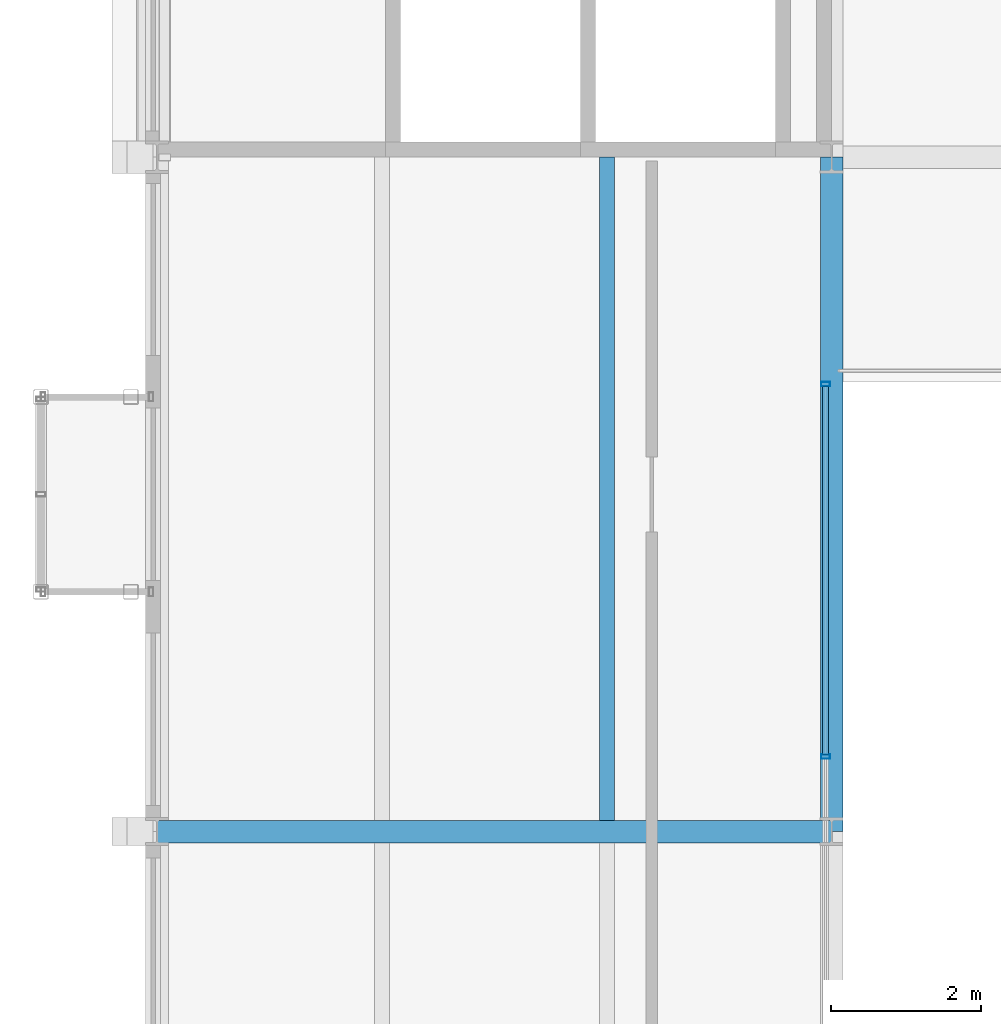
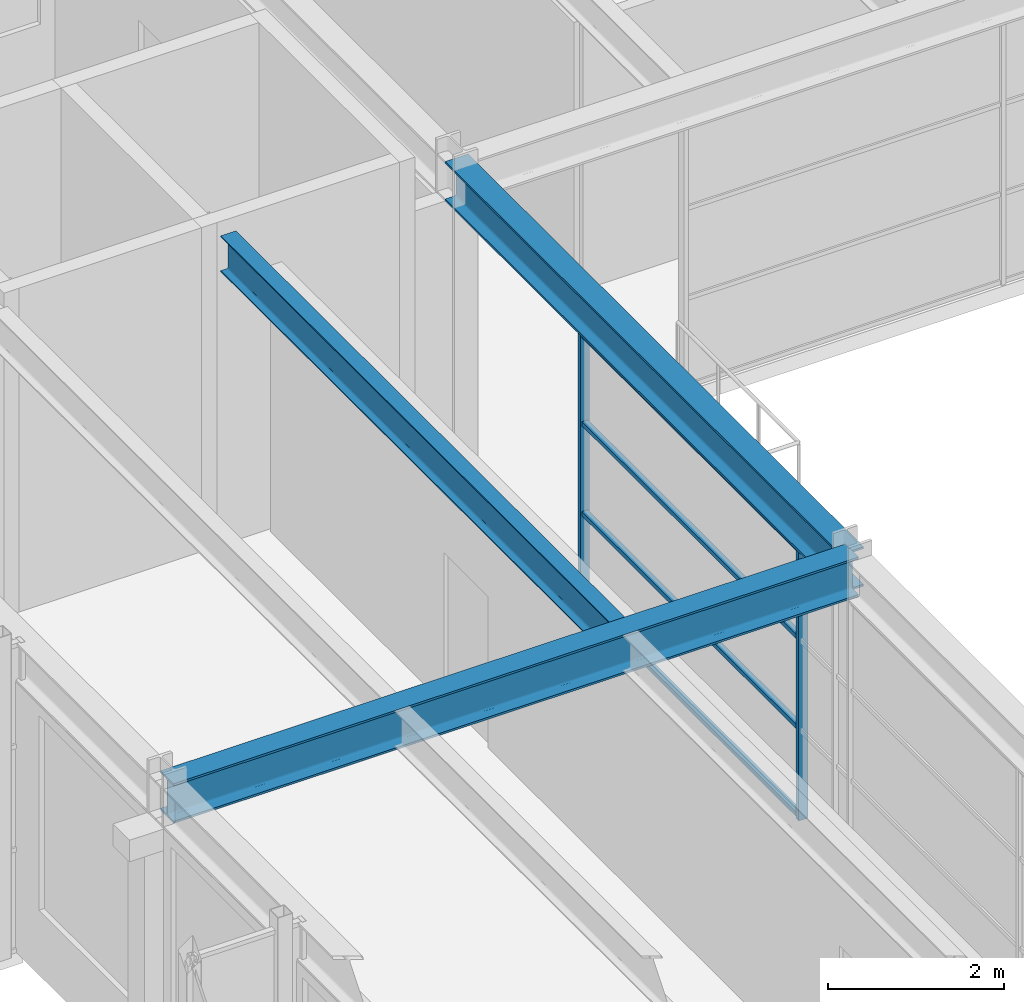
# One storey, part 21 of 149: 6 members, 3 beams, 1 element without a shape of its own.
"""IFC4 building model written with IfcOpenShell, lengths in metres."""

import ifcopenshell
import ifcopenshell.guid

model = None  # the IFC model being written
_history = None  # IfcOwnerHistory: only IFC2X3 demands one
_inside = {}  # id of a spatial element -> (the spatial element, [elements in it])
_under = {}  # id of a project, library or spatial element -> (it, [spatial elements below it])
_declared = {}  # id of a project -> (the project, [libraries it declares])
_typed = {}  # id of a type object -> (the type object, [elements of that type])
_made_of = {}  # id of a material, layer set ... -> (it, [elements and type objects made of it])


def new_model(schema):
    """Start an empty IFC model of exactly this schema.

    Asked for "IFC4X3", IfcOpenShell would pick the latest addendum, in which some entities
    have other attributes; the version numbers below select the first issue.
    IFC2X3 requires an IfcOwnerHistory on every rooted entity: one is made here for all.
    """
    global model, _history
    if schema == "IFC4X3":
        model = ifcopenshell.file(schema_version=(4, 3, 0, 0))
    else:
        model = ifcopenshell.file(schema=schema)
    _inside.clear()
    _under.clear()
    _declared.clear()
    _typed.clear()
    _made_of.clear()
    _history = None
    if model.schema == "IFC2X3":
        org = make("IfcOrganization", Name="unknown")
        user = make(
            "IfcPersonAndOrganization",
            ThePerson=make("IfcPerson", FamilyName="unknown"),
            TheOrganization=org,
        )
        app = make(
            "IfcApplication",
            ApplicationDeveloper=org,
            Version="unknown",
            ApplicationFullName="unknown",
            ApplicationIdentifier="unknown",
        )
        _history = make(
            "IfcOwnerHistory",
            OwningUser=user,
            OwningApplication=app,
            ChangeAction="ADDED",
            CreationDate=0,
        )
    return model


def make(cls, **values):
    """One entity of the class cls with the attributes given. An attribute that is None is left unset."""
    return model.create_entity(
        cls, **{name: value for name, value in values.items() if value is not None}
    )


def rooted(cls, **values):
    """An entity with a GlobalId (a new one), such as an element, a storey or a relation."""
    return make(cls, GlobalId=ifcopenshell.guid.new(), OwnerHistory=_history, **values)


def si_unit(unit_type, name, prefix=None):
    """IfcSIUnit, for example si_unit("LENGTHUNIT", "METRE", prefix="MILLI")."""
    return make("IfcSIUnit", UnitType=unit_type, Prefix=prefix, Name=name)


def assignment(units):
    """IfcUnitAssignment: the units of a project."""
    return None if units is None else make("IfcUnitAssignment", Units=units)


def point(xyz):
    """IfcCartesianPoint."""
    return None if xyz is None else make("IfcCartesianPoint", Coordinates=xyz)


def direction(xyz):
    """IfcDirection."""
    return None if xyz is None else make("IfcDirection", DirectionRatios=xyz)


def frame(location, z_axis=None, x_axis=None):
    """IfcAxis2Placement3D, a coordinate frame: its origin and axes. An axis left out is left unset."""
    return make(
        "IfcAxis2Placement3D",
        Location=point(location),
        Axis=direction(z_axis),
        RefDirection=direction(x_axis),
    )


def frame_2d(location, x_axis=None):
    """IfcAxis2Placement2D, a coordinate frame in the plane: its origin and x axis."""
    return make(
        "IfcAxis2Placement2D", Location=point(location), RefDirection=direction(x_axis)
    )


def origin():
    """The frame at (0, 0, 0) with its axes left unset."""
    return frame((0.0, 0.0, 0.0))


def origin_2d():
    """The frame at (0, 0) in the plane with its x axis left unset."""
    return frame_2d((0.0, 0.0))


def place(relative_to, where):
    """IfcLocalPlacement: puts the frame where relative to a parent placement (None: the world)."""
    return make(
        "IfcLocalPlacement", PlacementRelTo=relative_to, RelativePlacement=where
    )


def context(
    kind, dimensions, precision=None, world=None, true_north=None, identifier=None
):
    """IfcGeometricRepresentationContext, for example the 3D "Model" context."""
    return make(
        "IfcGeometricRepresentationContext",
        ContextIdentifier=identifier,
        ContextType=kind,
        CoordinateSpaceDimension=dimensions,
        Precision=precision,
        WorldCoordinateSystem=world,
        TrueNorth=true_north,
    )


def subcontext(parent, identifier, kind, view, scale=None):
    """IfcGeometricRepresentationSubContext, for example "Body" below "Model"."""
    return make(
        "IfcGeometricRepresentationSubContext",
        ContextIdentifier=identifier,
        ContextType=kind,
        ParentContext=parent,
        TargetScale=scale,
        TargetView=view,
    )


def project(units=None, contexts=None):
    """IfcProject with its units and contexts."""
    return rooted(
        "IfcProject",
        Name="project",
        RepresentationContexts=contexts,
        UnitsInContext=assignment(units),
    )


def spatial(cls, under=None, at=None, **own):
    """A site, building, storey or space (cls), placed at a placement, below another one or the project."""
    s = rooted(cls, ObjectPlacement=at, **own)
    if under is not None:
        _under.setdefault(under.id(), (under, []))[1].append(s)
    return s


def profile(cls, at=None, kind="AREA", **sizes):
    """A parametric profile (cls). Its sizes go by their IFC names, for example OverallWidth=200.0."""
    return make(cls, ProfileType=kind, Position=at, **sizes)


def hollow_rectangle(**sizes):
    """IfcRectangleHollowProfileDef."""
    return profile("IfcRectangleHollowProfileDef", **sizes)


def i_section(**sizes):
    """IfcIShapeProfileDef."""
    return profile("IfcIShapeProfileDef", **sizes)


def extrude(swept, where, along, depth):
    """IfcExtrudedAreaSolid: the profile swept, set in the frame where, extruded along a direction by depth."""
    return make(
        "IfcExtrudedAreaSolid",
        SweptArea=swept,
        Position=where,
        ExtrudedDirection=direction(along),
        Depth=depth,
    )


def shape(context_of_items, identifier, shape_type, items):
    """IfcShapeRepresentation: the items that make up one representation, for example the "Body"."""
    return make(
        "IfcShapeRepresentation",
        ContextOfItems=context_of_items,
        RepresentationIdentifier=identifier,
        RepresentationType=shape_type,
        Items=items,
    )


def material(Name=None, Category=None):
    """IfcMaterial."""
    return make("IfcMaterial", Name=Name, Category=Category)


def material_profile(
    of_material, cross_section, Name=None, Category=None, Priority=None
):
    """IfcMaterialProfile: a cross section and its material."""
    return make(
        "IfcMaterialProfile",
        Name=Name,
        Material=of_material,
        Profile=cross_section,
        Priority=Priority,
        Category=Category,
    )


def profile_set(profiles, Name=None, composite=None):
    """IfcMaterialProfileSet."""
    return make(
        "IfcMaterialProfileSet",
        Name=Name,
        MaterialProfiles=profiles,
        CompositeProfile=composite,
    )


def made_of(thing, what):
    """Note that an element or type object is made of a material, layer set ...; save() writes the relation."""
    if what is not None:
        _made_of.setdefault(what.id(), (what, []))[1].append(thing)
    return thing


def type_object(cls, material=None, **own):
    """A type object (cls), such as IfcWallType, which elements share."""
    return made_of(rooted(cls, **own), material)


def element(
    cls,
    number,
    at=None,
    inside=None,
    cuts=None,
    type_object=None,
    material=None,
    context=None,
    identifier="Body",
    shape_type=None,
    held_by="IfcProductDefinitionShape",
    body=None,
    shapes=None,
    **own,
):
    """One element of the class cls, such as IfcWall. Its Tag is "e" and its number.

    at: its placement. inside: the storey or other place that contains it. cuts: it is an
    opening in that element (IfcRelVoidsElement). A single representation is given by context,
    identifier, shape_type and body (its items); several are given by shapes. held_by: the class
    of the entity that holds the representations. save() writes the other relations.
    """
    e = rooted(cls, Tag="e%d" % number, ObjectPlacement=at, **own)
    if body is not None:
        shapes = [shape(context, identifier, shape_type, body)]
    if shapes is not None:
        e.Representation = make(held_by, Representations=shapes)
    if inside is not None:
        _inside.setdefault(inside.id(), (inside, []))[1].append(e)
    if cuts is not None:
        rooted(
            "IfcRelVoidsElement", RelatingBuildingElement=cuts, RelatedOpeningElement=e
        )
    if type_object is not None:
        _typed.setdefault(type_object.id(), (type_object, []))[1].append(e)
    return made_of(e, material)


def aggregate(whole, parts):
    """IfcRelAggregates: a whole, such as a stair, and the parts it consists of."""
    return rooted("IfcRelAggregates", RelatingObject=whole, RelatedObjects=parts)


def save(model, path):
    """Write the relations noted so far, then the file.

    IfcRelAggregates (storeys below a building ...), IfcRelContainedInSpatialStructure (elements
    in a storey), IfcRelDefinesByType, IfcRelAssociatesMaterial and IfcRelDeclares: one each for
    every whole, place, type object, material and project.
    """
    for whole, parts in _under.values():
        aggregate(whole, parts)
    for where, things in _inside.values():
        rooted(
            "IfcRelContainedInSpatialStructure",
            RelatedElements=things,
            RelatingStructure=where,
        )
    for kind, things in _typed.values():
        rooted("IfcRelDefinesByType", RelatedObjects=things, RelatingType=kind)
    for what, things in _made_of.values():
        rooted("IfcRelAssociatesMaterial", RelatedObjects=things, RelatingMaterial=what)
    for by, libraries in _declared.values():
        rooted("IfcRelDeclares", RelatingContext=by, RelatedDefinitions=libraries)
    model.write(path)


model = new_model("IFC4")

# Units and contexts
model_context = context("Model", 3, precision=1e-05, world=origin(), true_north=direction((0.0, 1.0)))
body_context = subcontext(model_context, "Body", "Model", "MODEL_VIEW")
ifc_project = project(units=[si_unit("LENGTHUNIT", "METRE"), si_unit("AREAUNIT", "SQUARE_METRE"), si_unit("VOLUMEUNIT", "CUBIC_METRE"), si_unit("PLANEANGLEUNIT", "RADIAN"), si_unit("MASSUNIT", "GRAM", prefix="KILO")], contexts=[model_context])

# Site, building, storey
site_placement = place(None, origin())
site = spatial("IfcSite", under=ifc_project, at=site_placement, CompositionType="ELEMENT")
building_placement = place(site_placement, origin())
building = spatial("IfcBuilding", under=site, at=building_placement, Name="Kallimachos Central Library", CompositionType="ELEMENT")
storey_placement = place(building_placement, frame((0.0, 0.0, 9.89990234375)))
storey = spatial("IfcBuildingStorey", under=building, at=storey_placement, Name="L02", CompositionType="ELEMENT", Elevation=9.89990234375)

# Curtain wall, members
ifc_material_1 = material(Name="Aluminium and laminated glass", Category="aluminium")
curtain_wall_type = type_object("IfcCurtainWallType", Name="Atrium glazed screen", PredefinedType="NOTDEFINED", material=ifc_material_1)
curtain_wall_placement = place(storey_placement, origin())
curtain_wall = element("IfcCurtainWall", 1, at=curtain_wall_placement, inside=storey, type_object=curtain_wall_type, Name="L02 atrium screen W", PredefinedType="NOTDEFINED")
ifc_material_2 = material(Name="Anodised aluminium", Category="aluminium")
ifc_material_profile_1 = material_profile(ifc_material_2, hollow_rectangle(XDim=0.06005859375, YDim=0.1201171875, WallThickness=0.00390625, at=origin_2d()), Name="ALU MULLION 60x120")
ifc_profile_set_1 = profile_set([ifc_material_profile_1], Name="Anodised aluminium")
member_type_1 = type_object("IfcMemberType", Name="Atrium screen mullion", PredefinedType="MULLION", material=ifc_profile_set_1)
member_1_placement = place(storey_placement, frame((74.419921875, 67.0, 0.0), z_axis=(0.0, 0.0, 1.0), x_axis=(0.0, 1.0, 0.0)))
member_1 = element("IfcMember", 2, at=member_1_placement, type_object=member_type_1, Name="CW mullion 3", PredefinedType="MULLION", context=body_context, shape_type="SweptSolid", body=[
    extrude(hollow_rectangle(XDim=0.06005859375, YDim=0.1201171875, WallThickness=0.00390625, at=origin_2d()), origin(), (0.0, 0.0, 1.0), 3.75),
])
member_2_placement = place(storey_placement, frame((74.419921875, 71.969970703125, 0.0), z_axis=(0.0, 0.0, 1.0), x_axis=(0.0, 1.0, 0.0)))
member_2 = element("IfcMember", 3, at=member_2_placement, type_object=member_type_1, Name="CW mullion 4", PredefinedType="MULLION", context=body_context, shape_type="SweptSolid", body=[
    extrude(hollow_rectangle(XDim=0.06005859375, YDim=0.1201171875, WallThickness=0.00390625, at=origin_2d()), origin(), (0.0, 0.0, 1.0), 3.75),
])
ifc_material_3 = material(Name="Anodised aluminium", Category="aluminium")
ifc_material_profile_2 = material_profile(ifc_material_3, hollow_rectangle(XDim=0.06005859375, YDim=0.080078125, WallThickness=0.00390625, at=origin_2d()), Name="ALU TRANSOM 60x80")
ifc_profile_set_2 = profile_set([ifc_material_profile_2], Name="Anodised aluminium")
member_type_2 = type_object("IfcMemberType", Name="Atrium screen transom", PredefinedType="USERDEFINED", material=ifc_profile_set_2)
member_3_placement = place(storey_placement, frame((74.419921875, 67.030029296875, 0.030029296875), z_axis=(0.0, 1.0, 0.0), x_axis=(0.0, 0.0, 1.0)))
member_3 = element("IfcMember", 4, at=member_3_placement, type_object=member_type_2, Name="CW transom 3.1", ObjectType="TRANSOM", PredefinedType="USERDEFINED", context=body_context, shape_type="SweptSolid", body=[
    extrude(hollow_rectangle(XDim=0.06005859375, YDim=0.080078125, WallThickness=0.00390625, at=origin_2d()), origin(), (0.0, 0.0, 1.0), 4.909912109375),
])
member_4_placement = place(storey_placement, frame((74.419921875, 67.030029296875, 1.25), z_axis=(0.0, 1.0, 0.0), x_axis=(0.0, 0.0, 1.0)))
member_4 = element("IfcMember", 5, at=member_4_placement, type_object=member_type_2, Name="CW transom 3.2", ObjectType="TRANSOM", PredefinedType="USERDEFINED", context=body_context, shape_type="SweptSolid", body=[
    extrude(hollow_rectangle(XDim=0.06005859375, YDim=0.080078125, WallThickness=0.00390625, at=origin_2d()), origin(), (0.0, 0.0, 1.0), 4.909912109375),
])
member_5_placement = place(storey_placement, frame((74.419921875, 67.030029296875, 2.5), z_axis=(0.0, 1.0, 0.0), x_axis=(0.0, 0.0, 1.0)))
member_5 = element("IfcMember", 6, at=member_5_placement, type_object=member_type_2, Name="CW transom 3.3", ObjectType="TRANSOM", PredefinedType="USERDEFINED", context=body_context, shape_type="SweptSolid", body=[
    extrude(hollow_rectangle(XDim=0.06005859375, YDim=0.080078125, WallThickness=0.00390625, at=origin_2d()), origin(), (0.0, 0.0, 1.0), 4.909912109375),
])
member_6_placement = place(storey_placement, frame((74.419921875, 67.030029296875, 3.72021484375), z_axis=(0.0, 1.0, 0.0), x_axis=(0.0, 0.0, 1.0)))
member_6 = element("IfcMember", 7, at=member_6_placement, type_object=member_type_2, Name="CW transom 3.4", ObjectType="TRANSOM", PredefinedType="USERDEFINED", context=body_context, shape_type="SweptSolid", body=[
    extrude(hollow_rectangle(XDim=0.06005859375, YDim=0.080078125, WallThickness=0.00390625, at=origin_2d()), origin(), (0.0, 0.0, 1.0), 4.909912109375),
])
aggregate(curtain_wall, [member_1, member_2, member_3, member_4, member_5, member_6])

# Beams
ifc_material_4 = material(Name="Steel S355J2", Category="steel")
ifc_material_profile_3 = material_profile(ifc_material_4, i_section(OverallWidth=0.300048828125, OverallDepth=0.550048828125, WebThickness=0.014892578125, FlangeThickness=0.029052734375, FilletRadius=0.027099609375, at=origin_2d()), Name="HEB 550")
ifc_profile_set_3 = profile_set([ifc_material_profile_3], Name="Steel S355J2")
beam_type_1 = type_object("IfcBeamType", Name="HEB 550 beam", PredefinedType="BEAM", material=ifc_profile_set_3)
for number, where, z_axis, x_axis, name in (
    (8, (65.5, 66.0, 4.025146484375), (1.0, 0.0, 0.0), (0.0, 1.0, 0.0), "V4-BEM-L02-022"),
    (9, (74.5, 66.0, 4.025146484375), (0.0, 1.0, 0.0), (-1.0, 0.0, 0.0), "V4-BEM-L02-026"),
):
    element("IfcBeam", number, at=place(storey_placement, frame(where, z_axis=z_axis, x_axis=x_axis)), inside=storey, type_object=beam_type_1, Name=name, PredefinedType="BEAM", context=body_context, shape_type="SweptSolid", body=[
        extrude(i_section(OverallWidth=0.300048828125, OverallDepth=0.550048828125, WebThickness=0.014892578125, FlangeThickness=0.029052734375, FilletRadius=0.027099609375, at=origin_2d()), origin(), (0.0, 0.0, 1.0), 9.0),
    ])
ifc_material_5 = material(Name="Steel S355J2", Category="steel")
ifc_material_profile_4 = material_profile(ifc_material_5, i_section(OverallWidth=0.199951171875, OverallDepth=0.5, WebThickness=0.01025390625, FlangeThickness=0.01611328125, FilletRadius=0.02099609375, at=origin_2d()), Name="IPE 500")
ifc_profile_set_4 = profile_set([ifc_material_profile_4], Name="Steel S355J2")
beam_type_2 = type_object("IfcBeamType", Name="IPE 500 beam", PredefinedType="BEAM", material=ifc_profile_set_4)
beam_placement = place(storey_placement, frame((71.5, 66.14990234375, 4.050048828125), z_axis=(0.0, 1.0, 0.0), x_axis=(-1.0, 0.0, 0.0)))
element("IfcBeam", 10, at=beam_placement, inside=storey, type_object=beam_type_2, Name="V4-BEM-L02-030", PredefinedType="BEAM", context=body_context, shape_type="SweptSolid", body=[
    extrude(i_section(OverallWidth=0.199951171875, OverallDepth=0.5, WebThickness=0.01025390625, FlangeThickness=0.01611328125, FilletRadius=0.02099609375, at=origin_2d()), origin(), (0.0, 0.0, 1.0), 8.85009765625),
])

save(model, "model.ifc")
